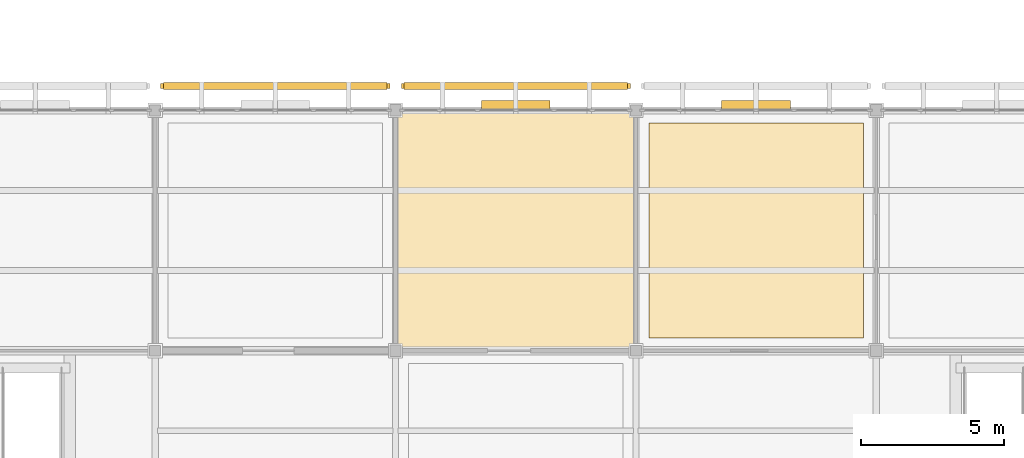
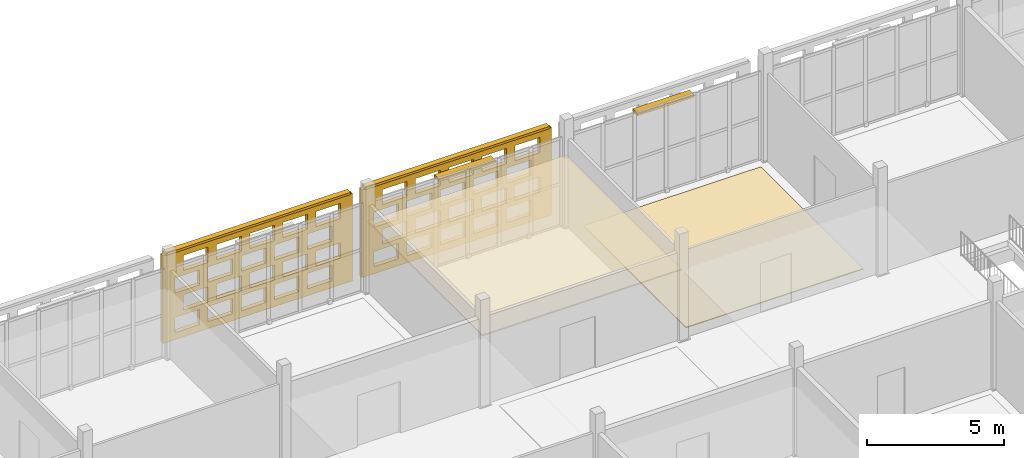
# One storey, part 154 of 203: 4 coverings, 4 shading devices, 40 openings.
"""IFC4 building model written with IfcOpenShell, lengths in metres."""

from ifc_helpers import new_model, si_unit, direction, frame, frame_2d, origin, origin_2d, place, context, subcontext, project, spatial, rectangle, extrude, material, layer, layer_set, type_object, element, save


model = new_model("IFC4")

# Units and contexts
model_context = context("Model", 3, precision=1e-05, world=origin(), true_north=direction((0.0, 1.0)))
body_context = subcontext(model_context, "Body", "Model", "MODEL_VIEW")
ifc_project = project(units=[si_unit("LENGTHUNIT", "METRE"), si_unit("AREAUNIT", "SQUARE_METRE"), si_unit("VOLUMEUNIT", "CUBIC_METRE"), si_unit("PLANEANGLEUNIT", "RADIAN"), si_unit("MASSUNIT", "GRAM", prefix="KILO")], contexts=[model_context])

# Site, building, storey
site_placement = place(None, origin())
site = spatial("IfcSite", under=ifc_project, at=site_placement, CompositionType="ELEMENT")
building_placement = place(site_placement, origin())
building = spatial("IfcBuilding", under=site, at=building_placement, Name="Varnapada Polytechnic", CompositionType="ELEMENT")
storey_placement = place(building_placement, frame((0.0, 0.0, 4.800048828125)))
storey = spatial("IfcBuildingStorey", under=building, at=storey_placement, Name="L01", CompositionType="ELEMENT", Elevation=4.800048828125)

# Covering
ifc_material_1 = material(Name="Acoustic Rubber Seminar Flooring")
ifc_layer_1 = layer(ifc_material_1, 0.0400390625)
ifc_layer_set_1 = layer_set([ifc_layer_1], Name="Acoustic Rubber Seminar Flooring")
covering_type_1 = type_object("IfcCoveringType", Name="Floor Finish FLR-06", PredefinedType="FLOORING", material=ifc_layer_set_1)
covering_1_placement = place(storey_placement, frame((105.0, 37.800048828125, 0.0), z_axis=(0.0, 0.0, 1.0), x_axis=(1.0, 0.0, 0.0)))
element("IfcCovering", 1, at=covering_1_placement, inside=storey, type_object=covering_type_1, Name="L01 floor finish panel (13,5)", PredefinedType="FLOORING", context=body_context, shape_type="SweptSolid", body=[
    extrude(rectangle(XDim=7.5, YDim=7.5, at=origin_2d()), origin(), (0.0, 0.0, 1.0), 0.0400390625),
])

# Shading devices
ifc_material_2 = material(Name="Anodised aluminium", Category="aluminium")
ifc_layer_2 = layer(ifc_material_2, 0.35009765625)
ifc_layer_set_2 = layer_set([ifc_layer_2], Name="Anodised aluminium")
shading_device_type_1 = type_object("IfcShadingDeviceType", Name="Solar Louvre LVR-01", PredefinedType="JALOUSIE", material=ifc_layer_set_2)
for number, where, z_axis, x_axis, name in (
    (2, (96.60498046875, 42.179931640625, 3.760009765625), (0.0, 0.0, 1.0), (1.0, 0.0, 0.0), "L01 aluminium sun louvre 79"),
    (3, (104.9951171875, 42.179931640625, 3.760009765625), (0.0, 0.0, 1.0), (1.0, 0.0, 0.0), "L01 aluminium sun louvre 85"),
):
    element("IfcShadingDevice", number, at=place(storey_placement, frame(where, z_axis=z_axis, x_axis=x_axis)), inside=storey, type_object=shading_device_type_1, Name=name, PredefinedType="JALOUSIE", context=body_context, shape_type="SweptSolid", body=[
        extrude(rectangle(XDim=2.39990234375, YDim=0.340087890625, at=origin_2d()), origin(), (0.0, 0.0, 1.0), 0.1201171875),
    ])

# Covering
ifc_material_3 = material(Name="Slatted Merbau Timber Acoustic Ceiling", Category="wood")
ifc_layer_3 = layer(ifc_material_3, 0.054931640625)
ifc_layer_set_3 = layer_set([ifc_layer_3], Name="Slatted Merbau Timber Acoustic Ceiling")
covering_type_2 = type_object("IfcCoveringType", Name="Suspended Ceiling CLG-05", PredefinedType="CEILING", material=ifc_layer_set_3)
covering_2_placement = place(storey_placement, frame((96.60009765625, 37.800048828125, 3.0224609375), z_axis=(0.0, 0.0, 1.0), x_axis=(1.0, 0.0, 0.0)))
element("IfcCovering", 4, at=covering_2_placement, inside=storey, type_object=covering_type_2, Name="L01 suspended acoustic ceiling (12,5)", PredefinedType="CEILING", context=body_context, shape_type="SweptSolid", body=[
    extrude(rectangle(XDim=8.419921875, YDim=8.419921875, at=origin_2d()), origin(), (0.0, 0.0, 1.0), 0.054931640625),
])

# Covering, openings
ifc_material_4 = material(Name="Earth-toned architectural terracotta screen block", Category="masonry")
ifc_layer_4 = layer(ifc_material_4, 0.1201171875)
ifc_layer_set_4 = layer_set([ifc_layer_4], Name="Earth-toned architectural terracotta screen block")
covering_type_3 = type_object("IfcCoveringType", Name="Terracotta Screen Cladding CLD-01", PredefinedType="CLADDING", material=ifc_layer_set_4)
covering_3_placement = place(storey_placement, frame((84.18994140625, 42.85009765625, 0.0), z_axis=(0.0, 0.0, 1.0), x_axis=(1.0, 0.0, 0.0)))
covering_3 = element("IfcCovering", 5, at=covering_3_placement, inside=storey, type_object=covering_type_3, Name="L01 perforated terracotta block screen (73)", PredefinedType="CLADDING", context=body_context, shape_type="SweptSolid", body=[
    extrude(rectangle(XDim=8.010009765625, YDim=0.179931640625, at=frame_2d((4.0048828125, 0.0))), origin(), (0.0, 0.0, 1.0), 3.919921875),
])
opening_1_placement = place(covering_3_placement, frame((0.5048828125, 0.0, 0.313720703125)))
element("IfcOpeningElement", 6, at=opening_1_placement, cuts=covering_3, Name="Screen perforation TBS-L01-072.1", PredefinedType="OPENING", context=body_context, shape_type="SweptSolid", body=[
    extrude(rectangle(XDim=1.0400390625, YDim=0.679931640625, at=frame_2d((0.52001953125, 0.33984375))), frame((0.0, 0.099853515625, 0.0), z_axis=(0.0, -1.0, 0.0), x_axis=(1.0, 0.0, 0.0)), (0.0, 0.0, 1.0), 0.199951171875),
])
opening_2_placement = place(covering_3_placement, frame((1.905029296875, 0.0, 0.313720703125)))
element("IfcOpeningElement", 7, at=opening_2_placement, cuts=covering_3, Name="Screen perforation TBS-L01-072.2", PredefinedType="OPENING", context=body_context, shape_type="SweptSolid", body=[
    extrude(rectangle(XDim=1.0400390625, YDim=0.679931640625, at=frame_2d((0.52001953125, 0.33984375))), frame((0.0, 0.099853515625, 0.0), z_axis=(0.0, -1.0, 0.0), x_axis=(1.0, 0.0, 0.0)), (0.0, 0.0, 1.0), 0.199951171875),
])
opening_3_placement = place(covering_3_placement, frame((3.304931640625, 0.0, 0.313720703125)))
element("IfcOpeningElement", 8, at=opening_3_placement, cuts=covering_3, Name="Screen perforation TBS-L01-072.3", PredefinedType="OPENING", context=body_context, shape_type="SweptSolid", body=[
    extrude(rectangle(XDim=1.0400390625, YDim=0.679931640625, at=frame_2d((0.52001953125, 0.33984375))), frame((0.0, 0.099853515625, 0.0), z_axis=(0.0, -1.0, 0.0), x_axis=(1.0, 0.0, 0.0)), (0.0, 0.0, 1.0), 0.199951171875),
])
opening_4_placement = place(covering_3_placement, frame((4.705078125, 0.0, 0.313720703125)))
element("IfcOpeningElement", 9, at=opening_4_placement, cuts=covering_3, Name="Screen perforation TBS-L01-072.4", PredefinedType="OPENING", context=body_context, shape_type="SweptSolid", body=[
    extrude(rectangle(XDim=1.0400390625, YDim=0.679931640625, at=frame_2d((0.52001953125, 0.33984375))), frame((0.0, 0.099853515625, 0.0), z_axis=(0.0, -1.0, 0.0), x_axis=(1.0, 0.0, 0.0)), (0.0, 0.0, 1.0), 0.199951171875),
])
opening_5_placement = place(covering_3_placement, frame((6.10498046875, 0.0, 0.313720703125)))
element("IfcOpeningElement", 10, at=opening_5_placement, cuts=covering_3, Name="Screen perforation TBS-L01-072.5", PredefinedType="OPENING", context=body_context, shape_type="SweptSolid", body=[
    extrude(rectangle(XDim=1.0400390625, YDim=0.679931640625, at=frame_2d((0.52001953125, 0.33984375))), frame((0.0, 0.099853515625, 0.0), z_axis=(0.0, -1.0, 0.0), x_axis=(1.0, 0.0, 0.0)), (0.0, 0.0, 1.0), 0.199951171875),
])
opening_6_placement = place(covering_3_placement, frame((0.864990234375, 0.0, 1.195556640625)))
element("IfcOpeningElement", 11, at=opening_6_placement, cuts=covering_3, Name="Screen perforation TBS-L01-072.6", PredefinedType="OPENING", context=body_context, shape_type="SweptSolid", body=[
    extrude(rectangle(XDim=1.0400390625, YDim=0.679931640625, at=frame_2d((0.52001953125, 0.33984375))), frame((0.0, 0.099853515625, 0.0), z_axis=(0.0, -1.0, 0.0), x_axis=(1.0, 0.0, 0.0)), (0.0, 0.0, 1.0), 0.199951171875),
])
opening_7_placement = place(covering_3_placement, frame((2.264892578125, 0.0, 1.195556640625)))
element("IfcOpeningElement", 12, at=opening_7_placement, cuts=covering_3, Name="Screen perforation TBS-L01-072.7", PredefinedType="OPENING", context=body_context, shape_type="SweptSolid", body=[
    extrude(rectangle(XDim=1.0400390625, YDim=0.679931640625, at=frame_2d((0.52001953125, 0.33984375))), frame((0.0, 0.099853515625, 0.0), z_axis=(0.0, -1.0, 0.0), x_axis=(1.0, 0.0, 0.0)), (0.0, 0.0, 1.0), 0.199951171875),
])
opening_8_placement = place(covering_3_placement, frame((3.6650390625, 0.0, 1.195556640625)))
element("IfcOpeningElement", 13, at=opening_8_placement, cuts=covering_3, Name="Screen perforation TBS-L01-072.8", PredefinedType="OPENING", context=body_context, shape_type="SweptSolid", body=[
    extrude(rectangle(XDim=1.0400390625, YDim=0.679931640625, at=frame_2d((0.52001953125, 0.33984375))), frame((0.0, 0.099853515625, 0.0), z_axis=(0.0, -1.0, 0.0), x_axis=(1.0, 0.0, 0.0)), (0.0, 0.0, 1.0), 0.199951171875),
])
opening_9_placement = place(covering_3_placement, frame((5.06494140625, 0.0, 1.195556640625)))
element("IfcOpeningElement", 14, at=opening_9_placement, cuts=covering_3, Name="Screen perforation TBS-L01-072.9", PredefinedType="OPENING", context=body_context, shape_type="SweptSolid", body=[
    extrude(rectangle(XDim=1.0400390625, YDim=0.679931640625, at=frame_2d((0.52001953125, 0.33984375))), frame((0.0, 0.099853515625, 0.0), z_axis=(0.0, -1.0, 0.0), x_axis=(1.0, 0.0, 0.0)), (0.0, 0.0, 1.0), 0.199951171875),
])
opening_10_placement = place(covering_3_placement, frame((6.465087890625, 0.0, 1.195556640625)))
element("IfcOpeningElement", 15, at=opening_10_placement, cuts=covering_3, Name="Screen perforation TBS-L01-072.10", PredefinedType="OPENING", context=body_context, shape_type="SweptSolid", body=[
    extrude(rectangle(XDim=1.0400390625, YDim=0.679931640625, at=frame_2d((0.52001953125, 0.33984375))), frame((0.0, 0.099853515625, 0.0), z_axis=(0.0, -1.0, 0.0), x_axis=(1.0, 0.0, 0.0)), (0.0, 0.0, 1.0), 0.199951171875),
])
opening_11_placement = place(covering_3_placement, frame((0.5048828125, 0.0, 2.07763671875)))
element("IfcOpeningElement", 16, at=opening_11_placement, cuts=covering_3, Name="Screen perforation TBS-L01-072.11", PredefinedType="OPENING", context=body_context, shape_type="SweptSolid", body=[
    extrude(rectangle(XDim=1.0400390625, YDim=0.679931640625, at=frame_2d((0.52001953125, 0.33984375))), frame((0.0, 0.099853515625, 0.0), z_axis=(0.0, -1.0, 0.0), x_axis=(1.0, 0.0, 0.0)), (0.0, 0.0, 1.0), 0.199951171875),
])
opening_12_placement = place(covering_3_placement, frame((1.905029296875, 0.0, 2.07763671875)))
element("IfcOpeningElement", 17, at=opening_12_placement, cuts=covering_3, Name="Screen perforation TBS-L01-072.12", PredefinedType="OPENING", context=body_context, shape_type="SweptSolid", body=[
    extrude(rectangle(XDim=1.0400390625, YDim=0.679931640625, at=frame_2d((0.52001953125, 0.33984375))), frame((0.0, 0.099853515625, 0.0), z_axis=(0.0, -1.0, 0.0), x_axis=(1.0, 0.0, 0.0)), (0.0, 0.0, 1.0), 0.199951171875),
])
opening_13_placement = place(covering_3_placement, frame((3.304931640625, 0.0, 2.07763671875)))
element("IfcOpeningElement", 18, at=opening_13_placement, cuts=covering_3, Name="Screen perforation TBS-L01-072.13", PredefinedType="OPENING", context=body_context, shape_type="SweptSolid", body=[
    extrude(rectangle(XDim=1.0400390625, YDim=0.679931640625, at=frame_2d((0.52001953125, 0.33984375))), frame((0.0, 0.099853515625, 0.0), z_axis=(0.0, -1.0, 0.0), x_axis=(1.0, 0.0, 0.0)), (0.0, 0.0, 1.0), 0.199951171875),
])
opening_14_placement = place(covering_3_placement, frame((4.705078125, 0.0, 2.07763671875)))
element("IfcOpeningElement", 19, at=opening_14_placement, cuts=covering_3, Name="Screen perforation TBS-L01-072.14", PredefinedType="OPENING", context=body_context, shape_type="SweptSolid", body=[
    extrude(rectangle(XDim=1.0400390625, YDim=0.679931640625, at=frame_2d((0.52001953125, 0.33984375))), frame((0.0, 0.099853515625, 0.0), z_axis=(0.0, -1.0, 0.0), x_axis=(1.0, 0.0, 0.0)), (0.0, 0.0, 1.0), 0.199951171875),
])
opening_15_placement = place(covering_3_placement, frame((6.10498046875, 0.0, 2.07763671875)))
element("IfcOpeningElement", 20, at=opening_15_placement, cuts=covering_3, Name="Screen perforation TBS-L01-072.15", PredefinedType="OPENING", context=body_context, shape_type="SweptSolid", body=[
    extrude(rectangle(XDim=1.0400390625, YDim=0.679931640625, at=frame_2d((0.52001953125, 0.33984375))), frame((0.0, 0.099853515625, 0.0), z_axis=(0.0, -1.0, 0.0), x_axis=(1.0, 0.0, 0.0)), (0.0, 0.0, 1.0), 0.199951171875),
])
opening_16_placement = place(covering_3_placement, frame((0.864990234375, 0.0, 2.959716796875)))
element("IfcOpeningElement", 21, at=opening_16_placement, cuts=covering_3, Name="Screen perforation TBS-L01-072.16", PredefinedType="OPENING", context=body_context, shape_type="SweptSolid", body=[
    extrude(rectangle(XDim=1.0400390625, YDim=0.679931640625, at=frame_2d((0.52001953125, 0.33984375))), frame((0.0, 0.099853515625, 0.0), z_axis=(0.0, -1.0, 0.0), x_axis=(1.0, 0.0, 0.0)), (0.0, 0.0, 1.0), 0.199951171875),
])
opening_17_placement = place(covering_3_placement, frame((2.264892578125, 0.0, 2.959716796875)))
element("IfcOpeningElement", 22, at=opening_17_placement, cuts=covering_3, Name="Screen perforation TBS-L01-072.17", PredefinedType="OPENING", context=body_context, shape_type="SweptSolid", body=[
    extrude(rectangle(XDim=1.0400390625, YDim=0.679931640625, at=frame_2d((0.52001953125, 0.33984375))), frame((0.0, 0.099853515625, 0.0), z_axis=(0.0, -1.0, 0.0), x_axis=(1.0, 0.0, 0.0)), (0.0, 0.0, 1.0), 0.199951171875),
])
opening_18_placement = place(covering_3_placement, frame((3.6650390625, 0.0, 2.959716796875)))
element("IfcOpeningElement", 23, at=opening_18_placement, cuts=covering_3, Name="Screen perforation TBS-L01-072.18", PredefinedType="OPENING", context=body_context, shape_type="SweptSolid", body=[
    extrude(rectangle(XDim=1.0400390625, YDim=0.679931640625, at=frame_2d((0.52001953125, 0.33984375))), frame((0.0, 0.099853515625, 0.0), z_axis=(0.0, -1.0, 0.0), x_axis=(1.0, 0.0, 0.0)), (0.0, 0.0, 1.0), 0.199951171875),
])
opening_19_placement = place(covering_3_placement, frame((5.06494140625, 0.0, 2.959716796875)))
element("IfcOpeningElement", 24, at=opening_19_placement, cuts=covering_3, Name="Screen perforation TBS-L01-072.19", PredefinedType="OPENING", context=body_context, shape_type="SweptSolid", body=[
    extrude(rectangle(XDim=1.0400390625, YDim=0.679931640625, at=frame_2d((0.52001953125, 0.33984375))), frame((0.0, 0.099853515625, 0.0), z_axis=(0.0, -1.0, 0.0), x_axis=(1.0, 0.0, 0.0)), (0.0, 0.0, 1.0), 0.199951171875),
])
opening_20_placement = place(covering_3_placement, frame((6.465087890625, 0.0, 2.959716796875)))
element("IfcOpeningElement", 25, at=opening_20_placement, cuts=covering_3, Name="Screen perforation TBS-L01-072.20", PredefinedType="OPENING", context=body_context, shape_type="SweptSolid", body=[
    extrude(rectangle(XDim=1.0400390625, YDim=0.679931640625, at=frame_2d((0.52001953125, 0.33984375))), frame((0.0, 0.099853515625, 0.0), z_axis=(0.0, -1.0, 0.0), x_axis=(1.0, 0.0, 0.0)), (0.0, 0.0, 1.0), 0.199951171875),
])

covering_4_placement = place(storey_placement, frame((92.60009765625, 42.85009765625, 0.0), z_axis=(0.0, 0.0, 1.0), x_axis=(1.0, 0.0, 0.0)))
covering_4 = element("IfcCovering", 26, at=covering_4_placement, inside=storey, type_object=covering_type_3, Name="L01 perforated terracotta block screen (79)", PredefinedType="CLADDING", context=body_context, shape_type="SweptSolid", body=[
    extrude(rectangle(XDim=8.010009765625, YDim=0.179931640625, at=frame_2d((4.0048828125, 0.0))), origin(), (0.0, 0.0, 1.0), 3.919921875),
])
opening_21_placement = place(covering_4_placement, frame((0.5048828125, 0.0, 0.313720703125)))
element("IfcOpeningElement", 27, at=opening_21_placement, cuts=covering_4, Name="Screen perforation TBS-L01-078.1", PredefinedType="OPENING", context=body_context, shape_type="SweptSolid", body=[
    extrude(rectangle(XDim=1.0400390625, YDim=0.679931640625, at=frame_2d((0.52001953125, 0.33984375))), frame((0.0, 0.099853515625, 0.0), z_axis=(0.0, -1.0, 0.0), x_axis=(1.0, 0.0, 0.0)), (0.0, 0.0, 1.0), 0.199951171875),
])
opening_22_placement = place(covering_4_placement, frame((1.905029296875, 0.0, 0.313720703125)))
element("IfcOpeningElement", 28, at=opening_22_placement, cuts=covering_4, Name="Screen perforation TBS-L01-078.2", PredefinedType="OPENING", context=body_context, shape_type="SweptSolid", body=[
    extrude(rectangle(XDim=1.0400390625, YDim=0.679931640625, at=frame_2d((0.52001953125, 0.33984375))), frame((0.0, 0.099853515625, 0.0), z_axis=(0.0, -1.0, 0.0), x_axis=(1.0, 0.0, 0.0)), (0.0, 0.0, 1.0), 0.199951171875),
])
opening_23_placement = place(covering_4_placement, frame((3.304931640625, 0.0, 0.313720703125)))
element("IfcOpeningElement", 29, at=opening_23_placement, cuts=covering_4, Name="Screen perforation TBS-L01-078.3", PredefinedType="OPENING", context=body_context, shape_type="SweptSolid", body=[
    extrude(rectangle(XDim=1.0400390625, YDim=0.679931640625, at=frame_2d((0.52001953125, 0.33984375))), frame((0.0, 0.099853515625, 0.0), z_axis=(0.0, -1.0, 0.0), x_axis=(1.0, 0.0, 0.0)), (0.0, 0.0, 1.0), 0.199951171875),
])
opening_24_placement = place(covering_4_placement, frame((4.705078125, 0.0, 0.313720703125)))
element("IfcOpeningElement", 30, at=opening_24_placement, cuts=covering_4, Name="Screen perforation TBS-L01-078.4", PredefinedType="OPENING", context=body_context, shape_type="SweptSolid", body=[
    extrude(rectangle(XDim=1.0400390625, YDim=0.679931640625, at=frame_2d((0.52001953125, 0.33984375))), frame((0.0, 0.099853515625, 0.0), z_axis=(0.0, -1.0, 0.0), x_axis=(1.0, 0.0, 0.0)), (0.0, 0.0, 1.0), 0.199951171875),
])
opening_25_placement = place(covering_4_placement, frame((6.10498046875, 0.0, 0.313720703125)))
element("IfcOpeningElement", 31, at=opening_25_placement, cuts=covering_4, Name="Screen perforation TBS-L01-078.5", PredefinedType="OPENING", context=body_context, shape_type="SweptSolid", body=[
    extrude(rectangle(XDim=1.0400390625, YDim=0.679931640625, at=frame_2d((0.52001953125, 0.33984375))), frame((0.0, 0.099853515625, 0.0), z_axis=(0.0, -1.0, 0.0), x_axis=(1.0, 0.0, 0.0)), (0.0, 0.0, 1.0), 0.199951171875),
])
opening_26_placement = place(covering_4_placement, frame((0.864990234375, 0.0, 1.195556640625)))
element("IfcOpeningElement", 32, at=opening_26_placement, cuts=covering_4, Name="Screen perforation TBS-L01-078.6", PredefinedType="OPENING", context=body_context, shape_type="SweptSolid", body=[
    extrude(rectangle(XDim=1.0400390625, YDim=0.679931640625, at=frame_2d((0.52001953125, 0.33984375))), frame((0.0, 0.099853515625, 0.0), z_axis=(0.0, -1.0, 0.0), x_axis=(1.0, 0.0, 0.0)), (0.0, 0.0, 1.0), 0.199951171875),
])
opening_27_placement = place(covering_4_placement, frame((2.264892578125, 0.0, 1.195556640625)))
element("IfcOpeningElement", 33, at=opening_27_placement, cuts=covering_4, Name="Screen perforation TBS-L01-078.7", PredefinedType="OPENING", context=body_context, shape_type="SweptSolid", body=[
    extrude(rectangle(XDim=1.0400390625, YDim=0.679931640625, at=frame_2d((0.52001953125, 0.33984375))), frame((0.0, 0.099853515625, 0.0), z_axis=(0.0, -1.0, 0.0), x_axis=(1.0, 0.0, 0.0)), (0.0, 0.0, 1.0), 0.199951171875),
])
opening_28_placement = place(covering_4_placement, frame((3.6650390625, 0.0, 1.195556640625)))
element("IfcOpeningElement", 34, at=opening_28_placement, cuts=covering_4, Name="Screen perforation TBS-L01-078.8", PredefinedType="OPENING", context=body_context, shape_type="SweptSolid", body=[
    extrude(rectangle(XDim=1.0400390625, YDim=0.679931640625, at=frame_2d((0.52001953125, 0.33984375))), frame((0.0, 0.099853515625, 0.0), z_axis=(0.0, -1.0, 0.0), x_axis=(1.0, 0.0, 0.0)), (0.0, 0.0, 1.0), 0.199951171875),
])
opening_29_placement = place(covering_4_placement, frame((5.06494140625, 0.0, 1.195556640625)))
element("IfcOpeningElement", 35, at=opening_29_placement, cuts=covering_4, Name="Screen perforation TBS-L01-078.9", PredefinedType="OPENING", context=body_context, shape_type="SweptSolid", body=[
    extrude(rectangle(XDim=1.0400390625, YDim=0.679931640625, at=frame_2d((0.52001953125, 0.33984375))), frame((0.0, 0.099853515625, 0.0), z_axis=(0.0, -1.0, 0.0), x_axis=(1.0, 0.0, 0.0)), (0.0, 0.0, 1.0), 0.199951171875),
])
opening_30_placement = place(covering_4_placement, frame((6.465087890625, 0.0, 1.195556640625)))
element("IfcOpeningElement", 36, at=opening_30_placement, cuts=covering_4, Name="Screen perforation TBS-L01-078.10", PredefinedType="OPENING", context=body_context, shape_type="SweptSolid", body=[
    extrude(rectangle(XDim=1.0400390625, YDim=0.679931640625, at=frame_2d((0.52001953125, 0.33984375))), frame((0.0, 0.099853515625, 0.0), z_axis=(0.0, -1.0, 0.0), x_axis=(1.0, 0.0, 0.0)), (0.0, 0.0, 1.0), 0.199951171875),
])
opening_31_placement = place(covering_4_placement, frame((0.5048828125, 0.0, 2.07763671875)))
element("IfcOpeningElement", 37, at=opening_31_placement, cuts=covering_4, Name="Screen perforation TBS-L01-078.11", PredefinedType="OPENING", context=body_context, shape_type="SweptSolid", body=[
    extrude(rectangle(XDim=1.0400390625, YDim=0.679931640625, at=frame_2d((0.52001953125, 0.33984375))), frame((0.0, 0.099853515625, 0.0), z_axis=(0.0, -1.0, 0.0), x_axis=(1.0, 0.0, 0.0)), (0.0, 0.0, 1.0), 0.199951171875),
])
opening_32_placement = place(covering_4_placement, frame((1.905029296875, 0.0, 2.07763671875)))
element("IfcOpeningElement", 38, at=opening_32_placement, cuts=covering_4, Name="Screen perforation TBS-L01-078.12", PredefinedType="OPENING", context=body_context, shape_type="SweptSolid", body=[
    extrude(rectangle(XDim=1.0400390625, YDim=0.679931640625, at=frame_2d((0.52001953125, 0.33984375))), frame((0.0, 0.099853515625, 0.0), z_axis=(0.0, -1.0, 0.0), x_axis=(1.0, 0.0, 0.0)), (0.0, 0.0, 1.0), 0.199951171875),
])
opening_33_placement = place(covering_4_placement, frame((3.304931640625, 0.0, 2.07763671875)))
element("IfcOpeningElement", 39, at=opening_33_placement, cuts=covering_4, Name="Screen perforation TBS-L01-078.13", PredefinedType="OPENING", context=body_context, shape_type="SweptSolid", body=[
    extrude(rectangle(XDim=1.0400390625, YDim=0.679931640625, at=frame_2d((0.52001953125, 0.33984375))), frame((0.0, 0.099853515625, 0.0), z_axis=(0.0, -1.0, 0.0), x_axis=(1.0, 0.0, 0.0)), (0.0, 0.0, 1.0), 0.199951171875),
])
opening_34_placement = place(covering_4_placement, frame((4.705078125, 0.0, 2.07763671875)))
element("IfcOpeningElement", 40, at=opening_34_placement, cuts=covering_4, Name="Screen perforation TBS-L01-078.14", PredefinedType="OPENING", context=body_context, shape_type="SweptSolid", body=[
    extrude(rectangle(XDim=1.0400390625, YDim=0.679931640625, at=frame_2d((0.52001953125, 0.33984375))), frame((0.0, 0.099853515625, 0.0), z_axis=(0.0, -1.0, 0.0), x_axis=(1.0, 0.0, 0.0)), (0.0, 0.0, 1.0), 0.199951171875),
])
opening_35_placement = place(covering_4_placement, frame((6.10498046875, 0.0, 2.07763671875)))
element("IfcOpeningElement", 41, at=opening_35_placement, cuts=covering_4, Name="Screen perforation TBS-L01-078.15", PredefinedType="OPENING", context=body_context, shape_type="SweptSolid", body=[
    extrude(rectangle(XDim=1.0400390625, YDim=0.679931640625, at=frame_2d((0.52001953125, 0.33984375))), frame((0.0, 0.099853515625, 0.0), z_axis=(0.0, -1.0, 0.0), x_axis=(1.0, 0.0, 0.0)), (0.0, 0.0, 1.0), 0.199951171875),
])
opening_36_placement = place(covering_4_placement, frame((0.864990234375, 0.0, 2.959716796875)))
element("IfcOpeningElement", 42, at=opening_36_placement, cuts=covering_4, Name="Screen perforation TBS-L01-078.16", PredefinedType="OPENING", context=body_context, shape_type="SweptSolid", body=[
    extrude(rectangle(XDim=1.0400390625, YDim=0.679931640625, at=frame_2d((0.52001953125, 0.33984375))), frame((0.0, 0.099853515625, 0.0), z_axis=(0.0, -1.0, 0.0), x_axis=(1.0, 0.0, 0.0)), (0.0, 0.0, 1.0), 0.199951171875),
])
opening_37_placement = place(covering_4_placement, frame((2.264892578125, 0.0, 2.959716796875)))
element("IfcOpeningElement", 43, at=opening_37_placement, cuts=covering_4, Name="Screen perforation TBS-L01-078.17", PredefinedType="OPENING", context=body_context, shape_type="SweptSolid", body=[
    extrude(rectangle(XDim=1.0400390625, YDim=0.679931640625, at=frame_2d((0.52001953125, 0.33984375))), frame((0.0, 0.099853515625, 0.0), z_axis=(0.0, -1.0, 0.0), x_axis=(1.0, 0.0, 0.0)), (0.0, 0.0, 1.0), 0.199951171875),
])
opening_38_placement = place(covering_4_placement, frame((3.6650390625, 0.0, 2.959716796875)))
element("IfcOpeningElement", 44, at=opening_38_placement, cuts=covering_4, Name="Screen perforation TBS-L01-078.18", PredefinedType="OPENING", context=body_context, shape_type="SweptSolid", body=[
    extrude(rectangle(XDim=1.0400390625, YDim=0.679931640625, at=frame_2d((0.52001953125, 0.33984375))), frame((0.0, 0.099853515625, 0.0), z_axis=(0.0, -1.0, 0.0), x_axis=(1.0, 0.0, 0.0)), (0.0, 0.0, 1.0), 0.199951171875),
])
opening_39_placement = place(covering_4_placement, frame((5.06494140625, 0.0, 2.959716796875)))
element("IfcOpeningElement", 45, at=opening_39_placement, cuts=covering_4, Name="Screen perforation TBS-L01-078.19", PredefinedType="OPENING", context=body_context, shape_type="SweptSolid", body=[
    extrude(rectangle(XDim=1.0400390625, YDim=0.679931640625, at=frame_2d((0.52001953125, 0.33984375))), frame((0.0, 0.099853515625, 0.0), z_axis=(0.0, -1.0, 0.0), x_axis=(1.0, 0.0, 0.0)), (0.0, 0.0, 1.0), 0.199951171875),
])
opening_40_placement = place(covering_4_placement, frame((6.465087890625, 0.0, 2.959716796875)))
element("IfcOpeningElement", 46, at=opening_40_placement, cuts=covering_4, Name="Screen perforation TBS-L01-078.20", PredefinedType="OPENING", context=body_context, shape_type="SweptSolid", body=[
    extrude(rectangle(XDim=1.0400390625, YDim=0.679931640625, at=frame_2d((0.52001953125, 0.33984375))), frame((0.0, 0.099853515625, 0.0), z_axis=(0.0, -1.0, 0.0), x_axis=(1.0, 0.0, 0.0)), (0.0, 0.0, 1.0), 0.199951171875),
])

# Shading devices
ifc_layer_5 = layer(ifc_material_4, 0.179931640625)
ifc_layer_set_5 = layer_set([ifc_layer_5], Name="Earth-toned architectural terracotta screen block")
shading_device_type_2 = type_object("IfcShadingDeviceType", Name="Terracotta Screen SCR-02", PredefinedType="USERDEFINED", material=ifc_layer_set_5)
for number, where, z_axis, x_axis, name in (
    (47, (88.195068359375, 42.85009765625, 3.909912109375), (0.0, 0.0, 1.0), (1.0, 0.0, 0.0), "L01 perforated terracotta screen hood 152"),
    (48, (96.60498046875, 42.85009765625, 3.909912109375), (0.0, 0.0, 1.0), (1.0, 0.0, 0.0), "L01 perforated terracotta screen hood 158"),
):
    element("IfcShadingDevice", number, at=place(storey_placement, frame(where, z_axis=z_axis, x_axis=x_axis)), inside=storey, type_object=shading_device_type_2, Name=name, ObjectType="SCREEN", PredefinedType="USERDEFINED", context=body_context, shape_type="SweptSolid", body=[
        extrude(rectangle(XDim=7.81005859375, YDim=0.239990234375, at=origin_2d()), origin(), (0.0, 0.0, 1.0), 0.10009765625),
    ])

save(model, "model.ifc")
